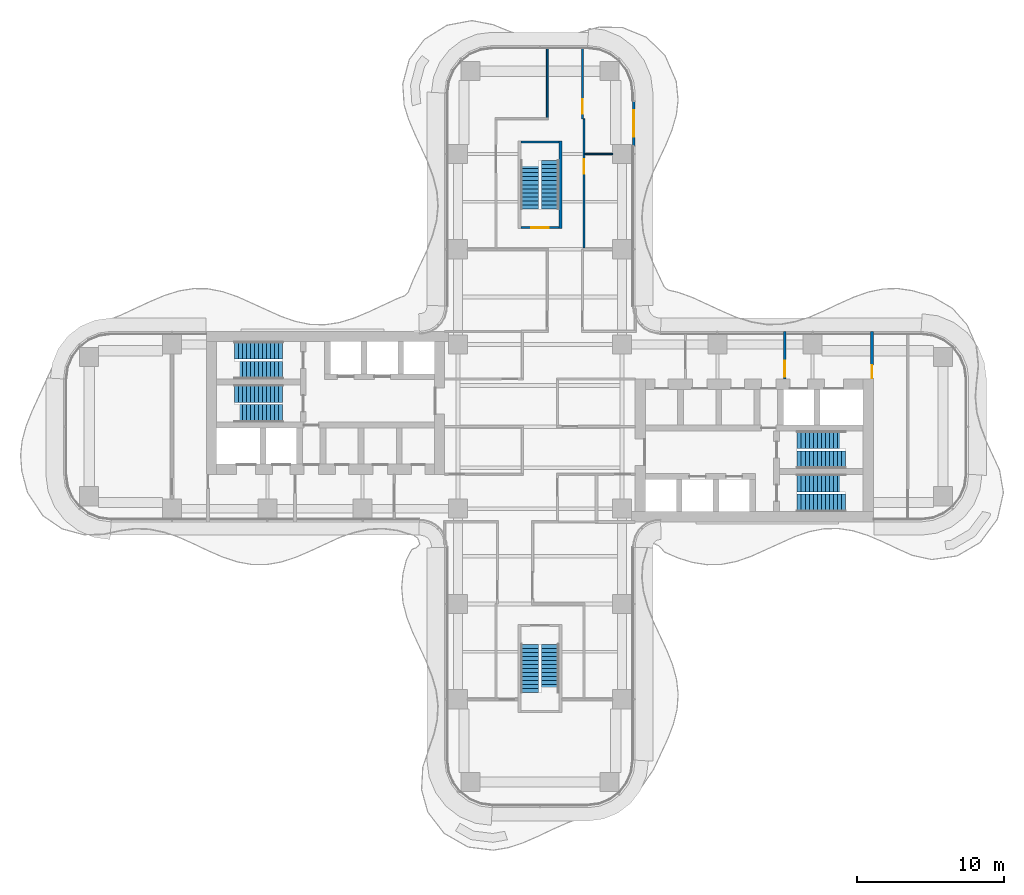
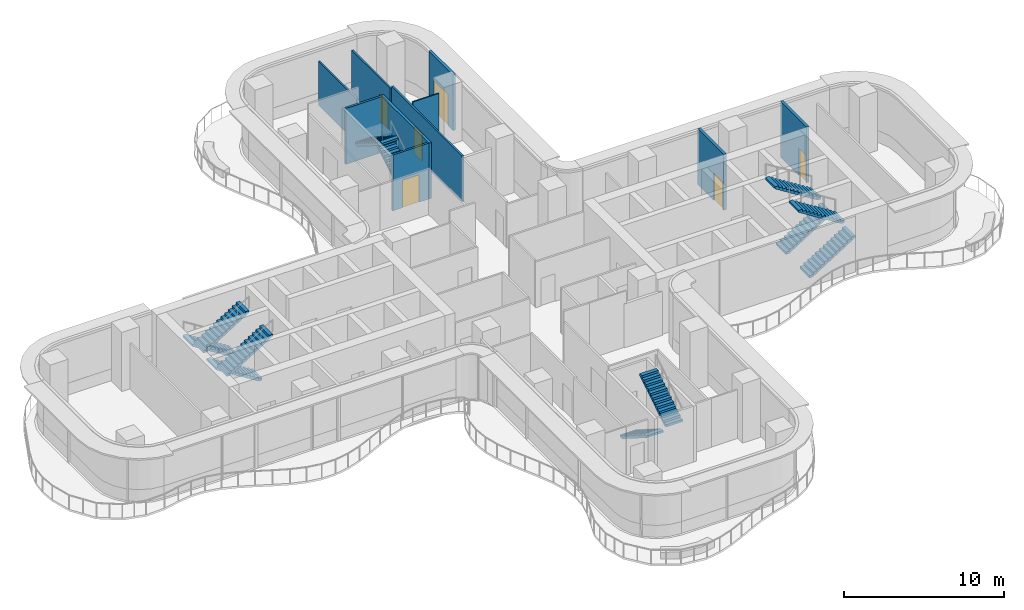
# One storey, part 18 of 20: 12 stair flights, 10 walls, 6 doors, 6 openings, 6 elements without a shape of their own.
"""IFC4 building model written with IfcOpenShell, lengths in metres."""

from ifc_helpers import new_model, si_unit, direction, frame, frame_2d, origin, place, context, subcontext, project, spatial, polyline, rectangle, outline, extrude, source, transform, mapped, material, layer, layer_set, type_object, element, fill, aggregate, save


model = new_model("IFC4")

# Units and contexts
model_context = context("Model", 3, precision=1e-05, world=origin(), true_north=direction((0.0, 1.0)))
body_context = subcontext(model_context, "Body", "Model", "MODEL_VIEW")
ifc_project = project(units=[si_unit("LENGTHUNIT", "METRE"), si_unit("AREAUNIT", "SQUARE_METRE"), si_unit("VOLUMEUNIT", "CUBIC_METRE"), si_unit("PLANEANGLEUNIT", "RADIAN"), si_unit("MASSUNIT", "GRAM", prefix="KILO")], contexts=[model_context])

# Site, building, storey
site_placement = place(None, origin())
site = spatial("IfcSite", under=ifc_project, at=site_placement, CompositionType="ELEMENT")
building_placement = place(site_placement, origin())
building = spatial("IfcBuilding", under=site, at=building_placement, Name="Trellis Farm Tower", CompositionType="ELEMENT")
storey_placement = place(building_placement, frame((0.0, 0.0, 129.0)))
storey = spatial("IfcBuildingStorey", under=building, at=storey_placement, Name="L27", CompositionType="ELEMENT", Elevation=129.0)

# Wall, opening, door
ifc_material_1 = material(Name="Masonry blockwork", Category="masonry")
ifc_layer_1 = layer(ifc_material_1, 0.199951171875)
ifc_layer_set_1 = layer_set([ifc_layer_1], Name="FIRE LOBBY PARTITION 200 BLOCKWORK")
wall_type_1 = type_object("IfcWallType", Name="FIRE LOBBY PARTITION 200 BLOCKWORK", PredefinedType="PARTITIONING", material=ifc_layer_set_1)
shared_shape_1 = source(origin(), body_context, "Body", "SweptSolid", [
    extrude(rectangle(XDim=3.25, YDim=0.199951171875, at=frame_2d((1.625, 0.0))), origin(), (0.0, 0.0, 1.0), 4.25),
])
wall_1_placement = place(storey_placement, frame((16.699951171875, 3.25, 0.0), z_axis=(0.0, 0.0, 1.0), x_axis=(0.0, 1.0, 0.0)))
wall_1 = element("IfcWall", 1, at=wall_1_placement, inside=storey, type_object=wall_type_1, Name="Fire-fighting lobby partition", PredefinedType="PARTITIONING", context=body_context, shape_type="MappedRepresentation", body=[
    mapped(shared_shape_1, transform((0.0, 0.0, 0.0))),
])
shared_shape_2 = source(origin(), body_context, "Body", "SweptSolid", [
    extrude(rectangle(XDim=1.10009765625, YDim=2.10009765625, at=frame_2d((0.550048828125, 1.050048828125))), frame((0.0, 0.110107421875, 0.0), z_axis=(0.0, -1.0, 0.0), x_axis=(1.0, 0.0, 0.0)), (0.0, 0.0, 1.0), 0.22021484375),
])
opening_1_placement = place(wall_1_placement, frame((0.14990234375, 0.0, 0.0)))
opening_1 = element("IfcOpeningElement", 2, at=opening_1_placement, cuts=wall_1, Name="Opening DC7", PredefinedType="OPENING", context=body_context, shape_type="MappedRepresentation", body=[
    mapped(shared_shape_2, transform((0.0, 0.0, 0.0))),
])
ifc_material_2 = material(Name="Steel", Category="steel")
door_type_1 = type_object("IfcDoorType", Name="CORE FIRE DOOR 1100 X 2100", OperationType="NOTDEFINED", PredefinedType="DOOR", material=ifc_material_2)
shared_shape_3 = source(origin(), body_context, "Body", "SweptSolid", [
    extrude(rectangle(XDim=1.10009765625, YDim=2.10009765625, at=frame_2d((0.550048828125, 1.050048828125))), frame((0.0, 0.02490234375, 0.0), z_axis=(0.0, -1.0, 0.0), x_axis=(1.0, 0.0, 0.0)), (0.0, 0.0, 1.0), 0.050048828125),
])
door_1_placement = place(opening_1_placement, origin())
door_1 = element("IfcDoor", 3, at=door_1_placement, inside=storey, type_object=door_type_1, Name="Core door", OperationType="SINGLE_SWING_RIGHT", OverallHeight=2.10009765625, OverallWidth=1.10009765625, PredefinedType="DOOR", context=body_context, shape_type="MappedRepresentation", body=[
    mapped(shared_shape_3, transform((0.0, 0.0, 0.0))),
])
fill(opening_1, door_1)

wall_2_placement = place(storey_placement, frame((22.64990234375, 3.25, 0.0), z_axis=(0.0, 0.0, 1.0), x_axis=(0.0, 1.0, 0.0)))
wall_2 = element("IfcWall", 4, at=wall_2_placement, inside=storey, type_object=wall_type_1, Name="Fire-fighting lobby partition", PredefinedType="PARTITIONING", context=body_context, shape_type="MappedRepresentation", body=[
    mapped(shared_shape_1, transform((0.0, 0.0, 0.0))),
])
shared_shape_4 = source(origin(), body_context, "Body", "SweptSolid", [
    extrude(rectangle(XDim=0.89990234375, YDim=2.10009765625, at=frame_2d((0.449951171875, 1.050048828125))), frame((0.0, 0.110107421875, 0.0), z_axis=(0.0, -1.0, 0.0), x_axis=(1.0, 0.0, 0.0)), (0.0, 0.0, 1.0), 0.22021484375),
])
opening_2_placement = place(wall_2_placement, frame((0.050048828125, 0.0, 0.0)))
opening_2 = element("IfcOpeningElement", 5, at=opening_2_placement, cuts=wall_2, Name="Opening DC8", PredefinedType="OPENING", context=body_context, shape_type="MappedRepresentation", body=[
    mapped(shared_shape_4, transform((0.0, 0.0, 0.0))),
])
door_type_2 = type_object("IfcDoorType", Name="CORE FIRE DOOR 900 X 2100", OperationType="NOTDEFINED", PredefinedType="DOOR", material=ifc_material_2)
shared_shape_5 = source(origin(), body_context, "Body", "SweptSolid", [
    extrude(rectangle(XDim=0.89990234375, YDim=2.10009765625, at=frame_2d((0.449951171875, 1.050048828125))), frame((0.0, 0.02490234375, 0.0), z_axis=(0.0, -1.0, 0.0), x_axis=(1.0, 0.0, 0.0)), (0.0, 0.0, 1.0), 0.050048828125),
])
door_2_placement = place(opening_2_placement, origin())
door_2 = element("IfcDoor", 6, at=door_2_placement, inside=storey, type_object=door_type_2, Name="Core door", OperationType="SINGLE_SWING_RIGHT", OverallHeight=2.10009765625, OverallWidth=0.89990234375, PredefinedType="DOOR", context=body_context, shape_type="MappedRepresentation", body=[
    mapped(shared_shape_5, transform((0.0, 0.0, 0.0))),
])
fill(opening_2, door_2)

# Wall
ifc_material_3 = material(Name="Concrete C70/85", Category="concrete")
ifc_layer_2 = layer(ifc_material_3, 0.199951171875)
ifc_layer_set_2 = layer_set([ifc_layer_2], Name="CORE STAIR ENCLOSURE WALL 200 CONCRETE C70/85")
wall_type_2 = type_object("IfcWallType", Name="CORE STAIR ENCLOSURE WALL 200 CONCRETE C70/85", PredefinedType="SHEAR", material=ifc_layer_set_2)
shared_shape_6 = source(origin(), body_context, "Body", "SweptSolid", [
    extrude(rectangle(XDim=6.0, YDim=0.199951171875, at=frame_2d((3.0, 0.0))), origin(), (0.0, 0.0, 1.0), 4.25),
])
wall_3_placement = place(storey_placement, frame((1.39990234375, 13.5, 0.0), z_axis=(0.0, 0.0, 1.0), x_axis=(0.0, 1.0, 0.0)))
element("IfcWall", 7, at=wall_3_placement, inside=storey, type_object=wall_type_2, Name="Stair enclosure wall", PredefinedType="SHEAR", context=body_context, shape_type="MappedRepresentation", body=[
    mapped(shared_shape_6, transform((0.0, 0.0, 0.0))),
])

# Wall, opening, door
ifc_layer_3 = layer(ifc_material_3, 0.14990234375)
ifc_layer_set_3 = layer_set([ifc_layer_3], Name="CORE STAIR ENCLOSURE WALL 150 CONCRETE C70/85")
wall_type_3 = type_object("IfcWallType", Name="CORE STAIR ENCLOSURE WALL 150 CONCRETE C70/85", PredefinedType="SHEAR", material=ifc_layer_set_3)
shared_shape_7 = source(origin(), body_context, "Body", "SweptSolid", [
    extrude(rectangle(XDim=2.60009765625, YDim=0.14990234375, at=frame_2d((1.300048828125, 0.0))), origin(), (0.0, 0.0, 1.0), 4.25),
])
wall_4_placement = place(storey_placement, frame((-1.300048828125, 13.574951171875, 0.0), z_axis=(0.0, 0.0, 1.0), x_axis=(1.0, 0.0, 0.0)))
wall_4 = element("IfcWall", 8, at=wall_4_placement, inside=storey, type_object=wall_type_3, Name="Stair enclosure wall", PredefinedType="SHEAR", context=body_context, shape_type="MappedRepresentation", body=[
    mapped(shared_shape_7, transform((0.0, 0.0, 0.0))),
])
shared_shape_8 = source(origin(), body_context, "Body", "SweptSolid", [
    extrude(rectangle(XDim=1.199951171875, YDim=2.10009765625, at=frame_2d((0.60009765625, 1.050048828125))), frame((0.0, 0.0849609375, 0.0), z_axis=(0.0, -1.0, 0.0), x_axis=(1.0, 0.0, 0.0)), (0.0, 0.0, 1.0), 0.169921875),
])
opening_3_placement = place(wall_4_placement, frame((0.699951171875, 0.0, 0.0)))
opening_3 = element("IfcOpeningElement", 9, at=opening_3_placement, cuts=wall_4, Name="Opening DC173", PredefinedType="OPENING", context=body_context, shape_type="MappedRepresentation", body=[
    mapped(shared_shape_8, transform((0.0, 0.0, 0.0))),
])
door_type_3 = type_object("IfcDoorType", Name="CORE FIRE DOOR 1200 X 2100", OperationType="NOTDEFINED", PredefinedType="DOOR", material=ifc_material_2)
shared_shape_9 = source(origin(), body_context, "Body", "SweptSolid", [
    extrude(rectangle(XDim=1.199951171875, YDim=2.10009765625, at=frame_2d((0.60009765625, 1.050048828125))), frame((0.0, 0.02490234375, 0.0), z_axis=(0.0, -1.0, 0.0), x_axis=(1.0, 0.0, 0.0)), (0.0, 0.0, 1.0), 0.050048828125),
])
door_3_placement = place(opening_3_placement, origin())
door_3 = element("IfcDoor", 10, at=door_3_placement, inside=storey, type_object=door_type_3, Name="Core door", OperationType="SINGLE_SWING_LEFT", OverallHeight=2.10009765625, OverallWidth=1.199951171875, PredefinedType="DOOR", context=body_context, shape_type="MappedRepresentation", body=[
    mapped(shared_shape_9, transform((0.0, 0.0, 0.0))),
])
fill(opening_3, door_3)

# Wall
wall_5_placement = place(storey_placement, frame((-1.300048828125, 19.425048828125, 0.0), z_axis=(0.0, 0.0, 1.0), x_axis=(1.0, 0.0, 0.0)))
element("IfcWall", 11, at=wall_5_placement, inside=storey, type_object=wall_type_3, Name="Stair enclosure wall", PredefinedType="SHEAR", context=body_context, shape_type="MappedRepresentation", body=[
    mapped(shared_shape_7, transform((0.0, 0.0, 0.0))),
])

# Wall, opening, door
ifc_material_4 = material(Name="Sandstone faced insulated wall", Category="masonry")
ifc_layer_4 = layer(ifc_material_4, 0.199951171875)
ifc_layer_set_4 = layer_set([ifc_layer_4], Name="EXTERNAL INFILL WALL 200")
wall_type_4 = type_object("IfcWallType", Name="EXTERNAL INFILL WALL 200", PredefinedType="SOLIDWALL", material=ifc_layer_set_4)
shared_shape_10 = source(origin(), body_context, "Body", "SweptSolid", [
    extrude(rectangle(XDim=3.0, YDim=0.199951171875, at=frame_2d((1.5, 0.0))), origin(), (0.0, 0.0, 1.0), 4.25),
])
wall_6_placement = place(storey_placement, frame((6.39990234375, 19.175048828125, 0.0), z_axis=(0.0, 0.0, 1.0), x_axis=(0.0, 1.0, 0.0)))
wall_6 = element("IfcWall", 12, at=wall_6_placement, inside=storey, type_object=wall_type_4, Name="EW1 01", PredefinedType="SOLIDWALL", context=body_context, shape_type="MappedRepresentation", body=[
    mapped(shared_shape_10, transform((0.0, 0.0, 0.0))),
])
shared_shape_11 = source(origin(), body_context, "Body", "SweptSolid", [
    extrude(rectangle(XDim=1.800048828125, YDim=2.39990234375, at=frame_2d((0.89990234375, 1.199951171875))), frame((0.0, 0.110107421875, 0.0), z_axis=(0.0, -1.0, 0.0), x_axis=(1.0, 0.0, 0.0)), (0.0, 0.0, 1.0), 0.22021484375),
])
opening_4_placement = place(wall_6_placement, frame((0.60009765625, 0.0, 0.0)))
opening_4 = element("IfcOpeningElement", 13, at=opening_4_placement, cuts=wall_6, Name="Opening ED1", PredefinedType="OPENING", context=body_context, shape_type="MappedRepresentation", body=[
    mapped(shared_shape_11, transform((0.0, 0.0, 0.0))),
])
ifc_material_5 = material(Name="Aluminium framed glazed door", Category="aluminium")
door_type_4 = type_object("IfcDoorType", Name="BALCONY DOOR 1800x2400", OperationType="DOUBLE_DOOR_SINGLE_SWING", PredefinedType="DOOR", material=ifc_material_5)
shared_shape_12 = source(origin(), body_context, "Body", "SweptSolid", [
    extrude(rectangle(XDim=1.800048828125, YDim=2.39990234375, at=frame_2d((0.89990234375, 1.199951171875))), frame((0.0, 0.02490234375, 0.0), z_axis=(0.0, -1.0, 0.0), x_axis=(1.0, 0.0, 0.0)), (0.0, 0.0, 1.0), 0.050048828125),
])
door_4_placement = place(opening_4_placement, origin())
door_4 = element("IfcDoor", 14, at=door_4_placement, inside=storey, type_object=door_type_4, Name="Balcony door", OperationType="DOUBLE_DOOR_SINGLE_SWING", OverallHeight=2.39990234375, OverallWidth=1.800048828125, PredefinedType="DOOR", context=body_context, shape_type="MappedRepresentation", body=[
    mapped(shared_shape_12, transform((0.0, 0.0, 0.0))),
])
fill(opening_4, door_4)

# Wall
ifc_material_6 = material(Name="Plasterboard on steel studs, mineral wool", Category="steel")
ifc_layer_5 = layer(ifc_material_6, 0.125)
ifc_layer_set_5 = layer_set([ifc_layer_5], Name="PARTITION 125 STUD EI 60")
wall_type_5 = type_object("IfcWallType", Name="PARTITION 125 STUD EI 60", PredefinedType="PARTITIONING", material=ifc_layer_set_5)
shared_shape_13 = source(origin(), body_context, "Body", "SweptSolid", [
    extrude(rectangle(XDim=4.737548828125, YDim=0.125, at=frame_2d((2.36865234375, 0.0))), origin(), (0.0, 0.0, 1.0), 3.330078125),
])
wall_7_placement = place(storey_placement, frame((0.5, 25.800048828125, 0.0), z_axis=(0.0, 0.0, 1.0), x_axis=(0.0, -1.0, 0.0)))
element("IfcWall", 15, at=wall_7_placement, inside=storey, type_object=wall_type_5, Name="Partition PW1", PredefinedType="PARTITIONING", context=body_context, shape_type="MappedRepresentation", body=[
    mapped(shared_shape_13, transform((0.0, 0.0, 0.0))),
])

# Wall, opening, door
shared_shape_14 = source(origin(), body_context, "Body", "SweptSolid", [
    extrude(rectangle(XDim=4.800048828125, YDim=0.125, at=frame_2d((2.39990234375, 0.0))), origin(), (0.0, 0.0, 1.0), 3.330078125),
])
wall_8_placement = place(storey_placement, frame((2.89990234375, 25.800048828125, 0.0), z_axis=(0.0, 0.0, 1.0), x_axis=(0.0, -1.0, 0.0)))
wall_8 = element("IfcWall", 16, at=wall_8_placement, inside=storey, type_object=wall_type_5, Name="Partition PW1", PredefinedType="PARTITIONING", context=body_context, shape_type="MappedRepresentation", body=[
    mapped(shared_shape_14, transform((0.0, 0.0, 0.0))),
])
shared_shape_15 = source(origin(), body_context, "Body", "SweptSolid", [
    extrude(rectangle(XDim=1.0, YDim=2.10009765625, at=frame_2d((0.5, 1.050048828125))), frame((0.0, 0.072509765625, 0.0), z_axis=(0.0, -1.0, 0.0), x_axis=(1.0, 0.0, 0.0)), (0.0, 0.0, 1.0), 0.14501953125),
])
opening_5_placement = place(wall_8_placement, frame((3.449951171875, 0.0, 0.0)))
opening_5 = element("IfcOpeningElement", 17, at=opening_5_placement, cuts=wall_8, Name="Opening D108", PredefinedType="OPENING", context=body_context, shape_type="MappedRepresentation", body=[
    mapped(shared_shape_15, transform((0.0, 0.0, 0.0))),
])
ifc_material_7 = material(Name="Fire-rated timber door leaf in a hollow metal frame", Category="wood")
door_type_5 = type_object("IfcDoorType", Name="DOOR 1000x2100 FD30S", OperationType="NOTDEFINED", PredefinedType="DOOR", material=ifc_material_7)
shared_shape_16 = source(origin(), body_context, "Body", "SweptSolid", [
    extrude(rectangle(XDim=1.0, YDim=2.10009765625, at=frame_2d((0.5, 1.050048828125))), frame((0.0, 0.02490234375, 0.0), z_axis=(0.0, -1.0, 0.0), x_axis=(1.0, 0.0, 0.0)), (0.0, 0.0, 1.0), 0.050048828125),
])
door_5_placement = place(opening_5_placement, origin())
door_5 = element("IfcDoor", 18, at=door_5_placement, inside=storey, type_object=door_type_5, Name="Door D108", OperationType="SINGLE_SWING_RIGHT", OverallHeight=2.10009765625, OverallWidth=1.0, PredefinedType="DOOR", context=body_context, shape_type="MappedRepresentation", body=[
    mapped(shared_shape_16, transform((0.0, 0.0, 0.0))),
])
fill(opening_5, door_5)

shared_shape_17 = source(origin(), body_context, "Body", "SweptSolid", [
    extrude(rectangle(XDim=8.800048828125, YDim=0.125, at=frame_2d((4.39990234375, 0.0))), origin(), (0.0, 0.0, 1.0), 3.4677734375),
])
wall_9_placement = place(storey_placement, frame((3.0, 21.0, 0.0), z_axis=(0.0, 0.0, 1.0), x_axis=(0.0, -1.0, 0.0)))
wall_9 = element("IfcWall", 19, at=wall_9_placement, inside=storey, type_object=wall_type_5, Name="Partition PW1", PredefinedType="PARTITIONING", context=body_context, shape_type="MappedRepresentation", body=[
    mapped(shared_shape_17, transform((0.0, 0.0, 0.0))),
])
opening_6_placement = place(wall_9_placement, frame((2.75, 0.0, 0.0)))
opening_6 = element("IfcOpeningElement", 20, at=opening_6_placement, cuts=wall_9, Name="Opening D107", PredefinedType="OPENING", context=body_context, shape_type="MappedRepresentation", body=[
    mapped(shared_shape_15, transform((0.0, 0.0, 0.0))),
])
door_6_placement = place(opening_6_placement, origin())
door_6 = element("IfcDoor", 21, at=door_6_placement, inside=storey, type_object=door_type_5, Name="Door D107", OperationType="SINGLE_SWING_LEFT", OverallHeight=2.10009765625, OverallWidth=1.0, PredefinedType="DOOR", context=body_context, shape_type="MappedRepresentation", body=[
    mapped(shared_shape_16, transform((0.0, 0.0, 0.0))),
])
fill(opening_6, door_6)

# Wall
ifc_material_8 = material(Name="Plasterboard on steel studs", Category="steel")
ifc_layer_6 = layer(ifc_material_8, 0.10009765625)
ifc_layer_set_6 = layer_set([ifc_layer_6], Name="PARTITION 100 STUD EI 30")
wall_type_6 = type_object("IfcWallType", Name="PARTITION 100 STUD EI 30", PredefinedType="PARTITIONING", material=ifc_layer_set_6)
shared_shape_18 = source(origin(), body_context, "Body", "SweptSolid", [
    extrude(rectangle(XDim=1.887451171875, YDim=0.10009765625, at=frame_2d((0.94384765625, 0.0))), origin(), (0.0, 0.0, 1.0), 3.697021484375),
])
wall_10_placement = place(storey_placement, frame((3.0625, 18.60009765625, 0.0), z_axis=(0.0, 0.0, 1.0), x_axis=(1.0, 0.0, 0.0)))
element("IfcWall", 22, at=wall_10_placement, inside=storey, type_object=wall_type_6, Name="Partition PW2", PredefinedType="PARTITIONING", context=body_context, shape_type="MappedRepresentation", body=[
    mapped(shared_shape_18, transform((0.0, 0.0, 0.0))),
])

# Stair, stair flights
ifc_material_9 = material(Name="Concrete C50/60", Category="concrete")
stair_type = type_object("IfcStairType", Name="CORE EXIT STAIR 26 RISERS 173 MM", PredefinedType="HALF_TURN_STAIR", material=ifc_material_9)
placement = place(storey_placement, origin())
stair_1 = element("IfcStair", 23, at=placement, inside=storey, type_object=stair_type, Name="Exit stair N", PredefinedType="HALF_TURN_STAIR")
stair_flight_type = type_object("IfcStairFlightType", Name="STAIR FLIGHT 13 RISERS 173 MM", PredefinedType="STRAIGHT", material=ifc_material_9)
shared_shape_19 = source(origin(), body_context, "Body", "SweptSolid", [
    extrude(outline(polyline([(0.0, 0.0), (0.0, 0.173095703125), (0.27490234375, 0.173095703125), (0.27490234375, 0.34619140625), (0.550048828125, 0.34619140625), (0.550048828125, 0.519287109375), (0.824951171875, 0.519287109375), (0.824951171875, 0.6923828125), (1.10009765625, 0.6923828125), (1.10009765625, 0.865478515625), (1.375, 0.865478515625), (1.375, 1.03857421875), (1.64990234375, 1.03857421875), (1.64990234375, 1.21142578125), (1.925048828125, 1.21142578125), (1.925048828125, 1.384521484375), (2.199951171875, 1.384521484375), (2.199951171875, 1.5576171875), (2.47509765625, 1.5576171875), (2.47509765625, 1.730712890625), (2.75, 1.730712890625), (2.75, 1.90380859375), (3.02490234375, 1.90380859375), (3.02490234375, 2.076904296875), (3.300048828125, 2.076904296875), (3.300048828125, 2.25), (3.300048828125, 1.92333984375), (0.243896484375, 0.0), (0.0, 0.0)])), frame((0.0, 0.60009765625, 0.0), z_axis=(0.0, -1.0, 0.0), x_axis=(1.0, 0.0, 0.0)), (0.0, 0.0, 1.0), 1.199951171875),
])
stair_flight_1_placement = place(storey_placement, frame((0.699951171875, 14.85009765625, 0.0), z_axis=(0.0, 0.0, 1.0), x_axis=(0.0, 1.0, 0.0)))
stair_flight_1 = element("IfcStairFlight", 24, at=stair_flight_1_placement, type_object=stair_flight_type, Name="STN flight 1", NumberOfRisers=13, NumberOfTreads=12, PredefinedType="STRAIGHT", RiserHeight=0.173076923, TreadLength=0.275, context=body_context, shape_type="MappedRepresentation", body=[
    mapped(shared_shape_19, transform((0.0, 0.0, 0.0))),
])
stair_flight_2_placement = place(storey_placement, frame((-0.699951171875, 18.14990234375, 2.25), z_axis=(0.0, 0.0, 1.0), x_axis=(0.0, -1.0, 0.0)))
stair_flight_2 = element("IfcStairFlight", 25, at=stair_flight_2_placement, type_object=stair_flight_type, Name="STN flight 2", NumberOfRisers=13, NumberOfTreads=12, PredefinedType="STRAIGHT", RiserHeight=0.173076923, TreadLength=0.275, context=body_context, shape_type="MappedRepresentation", body=[
    mapped(shared_shape_19, transform((0.0, 0.0, 0.0))),
])
aggregate(stair_1, [stair_flight_1, stair_flight_2])

stair_2 = element("IfcStair", 26, at=placement, inside=storey, type_object=stair_type, Name="Exit stair S", PredefinedType="HALF_TURN_STAIR")
stair_flight_3_placement = place(storey_placement, frame((-0.699951171875, -14.85009765625, 0.0), z_axis=(0.0, 0.0, 1.0), x_axis=(0.0, -1.0, 0.0)))
stair_flight_3 = element("IfcStairFlight", 27, at=stair_flight_3_placement, type_object=stair_flight_type, Name="STS flight 1", NumberOfRisers=13, NumberOfTreads=12, PredefinedType="STRAIGHT", RiserHeight=0.173076923, TreadLength=0.275, context=body_context, shape_type="MappedRepresentation", body=[
    mapped(shared_shape_19, transform((0.0, 0.0, 0.0))),
])
stair_flight_4_placement = place(storey_placement, frame((0.699951171875, -18.14990234375, 2.25), z_axis=(0.0, 0.0, 1.0), x_axis=(0.0, 1.0, 0.0)))
stair_flight_4 = element("IfcStairFlight", 28, at=stair_flight_4_placement, type_object=stair_flight_type, Name="STS flight 2", NumberOfRisers=13, NumberOfTreads=12, PredefinedType="STRAIGHT", RiserHeight=0.173076923, TreadLength=0.275, context=body_context, shape_type="MappedRepresentation", body=[
    mapped(shared_shape_19, transform((0.0, 0.0, 0.0))),
])
aggregate(stair_2, [stair_flight_3, stair_flight_4])

stair_3 = element("IfcStair", 29, at=placement, inside=storey, type_object=stair_type, Name="Exit stair E1", PredefinedType="HALF_TURN_STAIR")
stair_flight_5_placement = place(storey_placement, frame((17.550048828125, -5.199951171875, 0.0), z_axis=(0.0, 0.0, 1.0), x_axis=(1.0, 0.0, 0.0)))
stair_flight_5 = element("IfcStairFlight", 30, at=stair_flight_5_placement, type_object=stair_flight_type, Name="STE1 flight 1", NumberOfRisers=13, NumberOfTreads=12, PredefinedType="STRAIGHT", RiserHeight=0.173076923, TreadLength=0.275, context=body_context, shape_type="MappedRepresentation", body=[
    mapped(shared_shape_19, transform((0.0, 0.0, 0.0))),
])
stair_flight_6_placement = place(storey_placement, frame((20.85009765625, -3.85009765625, 2.25), z_axis=(0.0, 0.0, 1.0), x_axis=(-1.0, 0.0, 0.0)))
stair_flight_6 = element("IfcStairFlight", 31, at=stair_flight_6_placement, type_object=stair_flight_type, Name="STE1 flight 2", NumberOfRisers=13, NumberOfTreads=12, PredefinedType="STRAIGHT", RiserHeight=0.173076923, TreadLength=0.275, context=body_context, shape_type="MappedRepresentation", body=[
    mapped(shared_shape_19, transform((0.0, 0.0, 0.0))),
])
aggregate(stair_3, [stair_flight_5, stair_flight_6])

stair_4 = element("IfcStair", 32, at=placement, inside=storey, type_object=stair_type, Name="Exit stair E2", PredefinedType="HALF_TURN_STAIR")
stair_flight_7_placement = place(storey_placement, frame((17.550048828125, -2.25, 0.0), z_axis=(0.0, 0.0, 1.0), x_axis=(1.0, 0.0, 0.0)))
stair_flight_7 = element("IfcStairFlight", 33, at=stair_flight_7_placement, type_object=stair_flight_type, Name="STE2 flight 1", NumberOfRisers=13, NumberOfTreads=12, PredefinedType="STRAIGHT", RiserHeight=0.173076923, TreadLength=0.275, context=body_context, shape_type="MappedRepresentation", body=[
    mapped(shared_shape_19, transform((0.0, 0.0, 0.0))),
])
stair_flight_8_placement = place(storey_placement, frame((20.85009765625, -0.89990234375, 2.25), z_axis=(0.0, 0.0, 1.0), x_axis=(-1.0, 0.0, 0.0)))
stair_flight_8 = element("IfcStairFlight", 34, at=stair_flight_8_placement, type_object=stair_flight_type, Name="STE2 flight 2", NumberOfRisers=13, NumberOfTreads=12, PredefinedType="STRAIGHT", RiserHeight=0.173076923, TreadLength=0.275, context=body_context, shape_type="MappedRepresentation", body=[
    mapped(shared_shape_19, transform((0.0, 0.0, 0.0))),
])
aggregate(stair_4, [stair_flight_7, stair_flight_8])

stair_5 = element("IfcStair", 35, at=placement, inside=storey, type_object=stair_type, Name="Exit stair W1", PredefinedType="HALF_TURN_STAIR")
stair_flight_9_placement = place(storey_placement, frame((-17.550048828125, 5.199951171875, 0.0), z_axis=(0.0, 0.0, 1.0), x_axis=(-1.0, 0.0, 0.0)))
stair_flight_9 = element("IfcStairFlight", 36, at=stair_flight_9_placement, type_object=stair_flight_type, Name="STW1 flight 1", NumberOfRisers=13, NumberOfTreads=12, PredefinedType="STRAIGHT", RiserHeight=0.173076923, TreadLength=0.275, context=body_context, shape_type="MappedRepresentation", body=[
    mapped(shared_shape_19, transform((0.0, 0.0, 0.0))),
])
stair_flight_10_placement = place(storey_placement, frame((-20.85009765625, 3.85009765625, 2.25), z_axis=(0.0, 0.0, 1.0), x_axis=(1.0, 0.0, 0.0)))
stair_flight_10 = element("IfcStairFlight", 37, at=stair_flight_10_placement, type_object=stair_flight_type, Name="STW1 flight 2", NumberOfRisers=13, NumberOfTreads=12, PredefinedType="STRAIGHT", RiserHeight=0.173076923, TreadLength=0.275, context=body_context, shape_type="MappedRepresentation", body=[
    mapped(shared_shape_19, transform((0.0, 0.0, 0.0))),
])
aggregate(stair_5, [stair_flight_9, stair_flight_10])

stair_6 = element("IfcStair", 38, at=placement, inside=storey, type_object=stair_type, Name="Exit stair W2", PredefinedType="HALF_TURN_STAIR")
stair_flight_11_placement = place(storey_placement, frame((-17.550048828125, 2.25, 0.0), z_axis=(0.0, 0.0, 1.0), x_axis=(-1.0, 0.0, 0.0)))
stair_flight_11 = element("IfcStairFlight", 39, at=stair_flight_11_placement, type_object=stair_flight_type, Name="STW2 flight 1", NumberOfRisers=13, NumberOfTreads=12, PredefinedType="STRAIGHT", RiserHeight=0.173076923, TreadLength=0.275, context=body_context, shape_type="MappedRepresentation", body=[
    mapped(shared_shape_19, transform((0.0, 0.0, 0.0))),
])
stair_flight_12_placement = place(storey_placement, frame((-20.85009765625, 0.89990234375, 2.25), z_axis=(0.0, 0.0, 1.0), x_axis=(1.0, 0.0, 0.0)))
stair_flight_12 = element("IfcStairFlight", 40, at=stair_flight_12_placement, type_object=stair_flight_type, Name="STW2 flight 2", NumberOfRisers=13, NumberOfTreads=12, PredefinedType="STRAIGHT", RiserHeight=0.173076923, TreadLength=0.275, context=body_context, shape_type="MappedRepresentation", body=[
    mapped(shared_shape_19, transform((0.0, 0.0, 0.0))),
])
aggregate(stair_6, [stair_flight_11, stair_flight_12])

save(model, "model.ifc")
